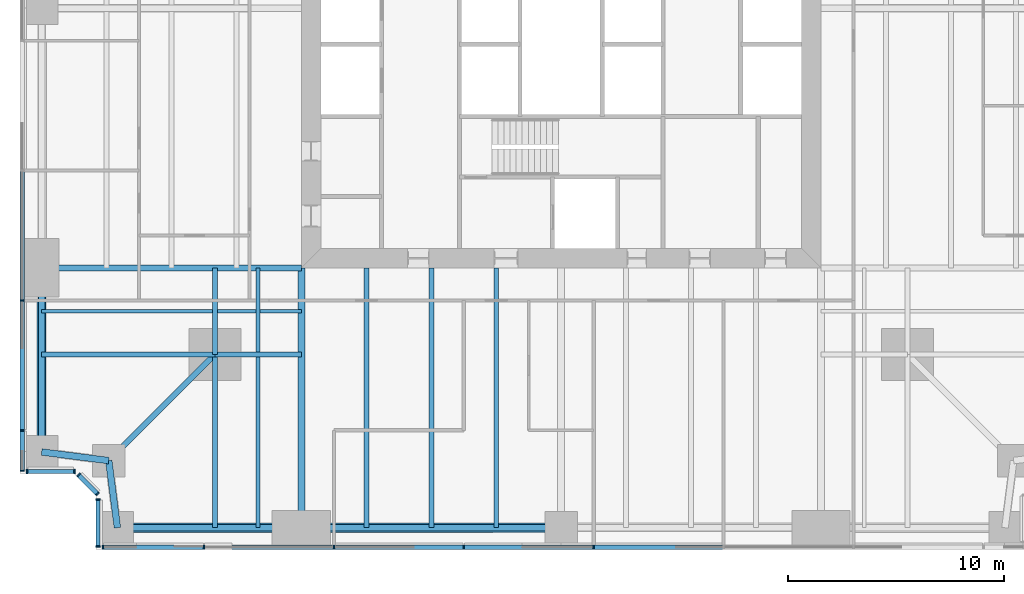
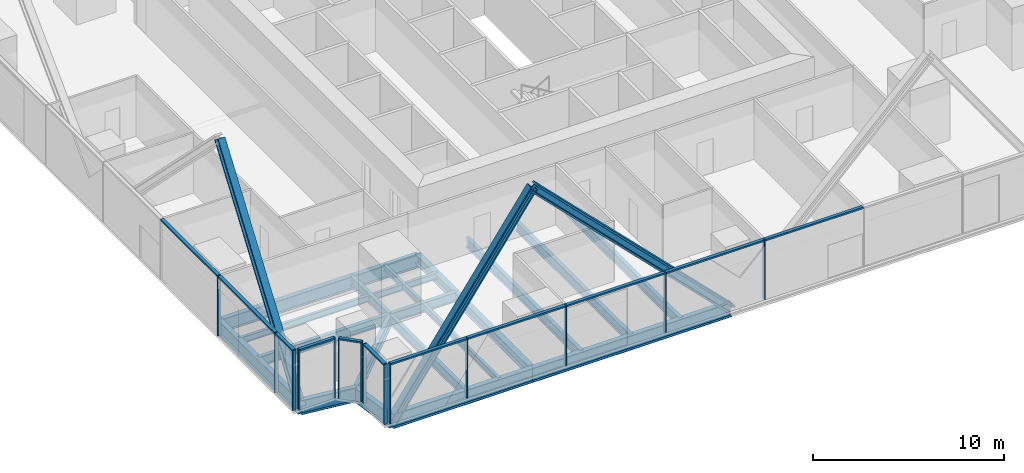
# One storey, part 2 of 13: 28 members, 20 beams, 5 elements without a shape of their own.
"""IFC4 building model written with IfcOpenShell, lengths in metres."""

import ifcopenshell
import ifcopenshell.guid

model = None  # the IFC model being written
_history = None  # IfcOwnerHistory: only IFC2X3 demands one
_inside = {}  # id of a spatial element -> (the spatial element, [elements in it])
_under = {}  # id of a project, library or spatial element -> (it, [spatial elements below it])
_declared = {}  # id of a project -> (the project, [libraries it declares])
_typed = {}  # id of a type object -> (the type object, [elements of that type])
_made_of = {}  # id of a material, layer set ... -> (it, [elements and type objects made of it])


def new_model(schema):
    """Start an empty IFC model of exactly this schema.

    Asked for "IFC4X3", IfcOpenShell would pick the latest addendum, in which some entities
    have other attributes; the version numbers below select the first issue.
    IFC2X3 requires an IfcOwnerHistory on every rooted entity: one is made here for all.
    """
    global model, _history
    if schema == "IFC4X3":
        model = ifcopenshell.file(schema_version=(4, 3, 0, 0))
    else:
        model = ifcopenshell.file(schema=schema)
    _inside.clear()
    _under.clear()
    _declared.clear()
    _typed.clear()
    _made_of.clear()
    _history = None
    if model.schema == "IFC2X3":
        org = make("IfcOrganization", Name="unknown")
        user = make(
            "IfcPersonAndOrganization",
            ThePerson=make("IfcPerson", FamilyName="unknown"),
            TheOrganization=org,
        )
        app = make(
            "IfcApplication",
            ApplicationDeveloper=org,
            Version="unknown",
            ApplicationFullName="unknown",
            ApplicationIdentifier="unknown",
        )
        _history = make(
            "IfcOwnerHistory",
            OwningUser=user,
            OwningApplication=app,
            ChangeAction="ADDED",
            CreationDate=0,
        )
    return model


def make(cls, **values):
    """One entity of the class cls with the attributes given. An attribute that is None is left unset."""
    return model.create_entity(
        cls, **{name: value for name, value in values.items() if value is not None}
    )


def rooted(cls, **values):
    """An entity with a GlobalId (a new one), such as an element, a storey or a relation."""
    return make(cls, GlobalId=ifcopenshell.guid.new(), OwnerHistory=_history, **values)


def si_unit(unit_type, name, prefix=None):
    """IfcSIUnit, for example si_unit("LENGTHUNIT", "METRE", prefix="MILLI")."""
    return make("IfcSIUnit", UnitType=unit_type, Prefix=prefix, Name=name)


def assignment(units):
    """IfcUnitAssignment: the units of a project."""
    return None if units is None else make("IfcUnitAssignment", Units=units)


def point(xyz):
    """IfcCartesianPoint."""
    return None if xyz is None else make("IfcCartesianPoint", Coordinates=xyz)


def direction(xyz):
    """IfcDirection."""
    return None if xyz is None else make("IfcDirection", DirectionRatios=xyz)


def frame(location, z_axis=None, x_axis=None):
    """IfcAxis2Placement3D, a coordinate frame: its origin and axes. An axis left out is left unset."""
    return make(
        "IfcAxis2Placement3D",
        Location=point(location),
        Axis=direction(z_axis),
        RefDirection=direction(x_axis),
    )


def frame_2d(location, x_axis=None):
    """IfcAxis2Placement2D, a coordinate frame in the plane: its origin and x axis."""
    return make(
        "IfcAxis2Placement2D", Location=point(location), RefDirection=direction(x_axis)
    )


def origin():
    """The frame at (0, 0, 0) with its axes left unset."""
    return frame((0.0, 0.0, 0.0))


def origin_2d():
    """The frame at (0, 0) in the plane with its x axis left unset."""
    return frame_2d((0.0, 0.0))


def place(relative_to, where):
    """IfcLocalPlacement: puts the frame where relative to a parent placement (None: the world)."""
    return make(
        "IfcLocalPlacement", PlacementRelTo=relative_to, RelativePlacement=where
    )


def context(
    kind, dimensions, precision=None, world=None, true_north=None, identifier=None
):
    """IfcGeometricRepresentationContext, for example the 3D "Model" context."""
    return make(
        "IfcGeometricRepresentationContext",
        ContextIdentifier=identifier,
        ContextType=kind,
        CoordinateSpaceDimension=dimensions,
        Precision=precision,
        WorldCoordinateSystem=world,
        TrueNorth=true_north,
    )


def subcontext(parent, identifier, kind, view, scale=None):
    """IfcGeometricRepresentationSubContext, for example "Body" below "Model"."""
    return make(
        "IfcGeometricRepresentationSubContext",
        ContextIdentifier=identifier,
        ContextType=kind,
        ParentContext=parent,
        TargetScale=scale,
        TargetView=view,
    )


def project(units=None, contexts=None):
    """IfcProject with its units and contexts."""
    return rooted(
        "IfcProject",
        Name="project",
        RepresentationContexts=contexts,
        UnitsInContext=assignment(units),
    )


def spatial(cls, under=None, at=None, **own):
    """A site, building, storey or space (cls), placed at a placement, below another one or the project."""
    s = rooted(cls, ObjectPlacement=at, **own)
    if under is not None:
        _under.setdefault(under.id(), (under, []))[1].append(s)
    return s


def profile(cls, at=None, kind="AREA", **sizes):
    """A parametric profile (cls). Its sizes go by their IFC names, for example OverallWidth=200.0."""
    return make(cls, ProfileType=kind, Position=at, **sizes)


def rectangle(**sizes):
    """IfcRectangleProfileDef."""
    return profile("IfcRectangleProfileDef", **sizes)


def i_section(**sizes):
    """IfcIShapeProfileDef."""
    return profile("IfcIShapeProfileDef", **sizes)


def extrude(swept, where, along, depth):
    """IfcExtrudedAreaSolid: the profile swept, set in the frame where, extruded along a direction by depth."""
    return make(
        "IfcExtrudedAreaSolid",
        SweptArea=swept,
        Position=where,
        ExtrudedDirection=direction(along),
        Depth=depth,
    )


def shape(context_of_items, identifier, shape_type, items):
    """IfcShapeRepresentation: the items that make up one representation, for example the "Body"."""
    return make(
        "IfcShapeRepresentation",
        ContextOfItems=context_of_items,
        RepresentationIdentifier=identifier,
        RepresentationType=shape_type,
        Items=items,
    )


def material(Name=None, Category=None):
    """IfcMaterial."""
    return make("IfcMaterial", Name=Name, Category=Category)


def material_profile(
    of_material, cross_section, Name=None, Category=None, Priority=None
):
    """IfcMaterialProfile: a cross section and its material."""
    return make(
        "IfcMaterialProfile",
        Name=Name,
        Material=of_material,
        Profile=cross_section,
        Priority=Priority,
        Category=Category,
    )


def profile_set(profiles, Name=None, composite=None):
    """IfcMaterialProfileSet."""
    return make(
        "IfcMaterialProfileSet",
        Name=Name,
        MaterialProfiles=profiles,
        CompositeProfile=composite,
    )


def made_of(thing, what):
    """Note that an element or type object is made of a material, layer set ...; save() writes the relation."""
    if what is not None:
        _made_of.setdefault(what.id(), (what, []))[1].append(thing)
    return thing


def type_object(cls, material=None, **own):
    """A type object (cls), such as IfcWallType, which elements share."""
    return made_of(rooted(cls, **own), material)


def element(
    cls,
    number,
    at=None,
    inside=None,
    cuts=None,
    type_object=None,
    material=None,
    context=None,
    identifier="Body",
    shape_type=None,
    held_by="IfcProductDefinitionShape",
    body=None,
    shapes=None,
    **own,
):
    """One element of the class cls, such as IfcWall. Its Tag is "e" and its number.

    at: its placement. inside: the storey or other place that contains it. cuts: it is an
    opening in that element (IfcRelVoidsElement). A single representation is given by context,
    identifier, shape_type and body (its items); several are given by shapes. held_by: the class
    of the entity that holds the representations. save() writes the other relations.
    """
    e = rooted(cls, Tag="e%d" % number, ObjectPlacement=at, **own)
    if body is not None:
        shapes = [shape(context, identifier, shape_type, body)]
    if shapes is not None:
        e.Representation = make(held_by, Representations=shapes)
    if inside is not None:
        _inside.setdefault(inside.id(), (inside, []))[1].append(e)
    if cuts is not None:
        rooted(
            "IfcRelVoidsElement", RelatingBuildingElement=cuts, RelatedOpeningElement=e
        )
    if type_object is not None:
        _typed.setdefault(type_object.id(), (type_object, []))[1].append(e)
    return made_of(e, material)


def aggregate(whole, parts):
    """IfcRelAggregates: a whole, such as a stair, and the parts it consists of."""
    return rooted("IfcRelAggregates", RelatingObject=whole, RelatedObjects=parts)


def save(model, path):
    """Write the relations noted so far, then the file.

    IfcRelAggregates (storeys below a building ...), IfcRelContainedInSpatialStructure (elements
    in a storey), IfcRelDefinesByType, IfcRelAssociatesMaterial and IfcRelDeclares: one each for
    every whole, place, type object, material and project.
    """
    for whole, parts in _under.values():
        aggregate(whole, parts)
    for where, things in _inside.values():
        rooted(
            "IfcRelContainedInSpatialStructure",
            RelatedElements=things,
            RelatingStructure=where,
        )
    for kind, things in _typed.values():
        rooted("IfcRelDefinesByType", RelatedObjects=things, RelatingType=kind)
    for what, things in _made_of.values():
        rooted("IfcRelAssociatesMaterial", RelatedObjects=things, RelatingMaterial=what)
    for by, libraries in _declared.values():
        rooted("IfcRelDeclares", RelatingContext=by, RelatedDefinitions=libraries)
    model.write(path)


model = new_model("IFC4")

# Units and contexts
model_context = context("Model", 3, precision=1e-05, world=origin(), true_north=direction((0.0, 1.0)))
body_context = subcontext(model_context, "Body", "Model", "MODEL_VIEW")
ifc_project = project(units=[si_unit("LENGTHUNIT", "METRE"), si_unit("AREAUNIT", "SQUARE_METRE"), si_unit("VOLUMEUNIT", "CUBIC_METRE"), si_unit("PLANEANGLEUNIT", "RADIAN"), si_unit("MASSUNIT", "GRAM", prefix="KILO")], contexts=[model_context])

# Site, building, storey
site_placement = place(None, origin())
site = spatial("IfcSite", under=ifc_project, at=site_placement, CompositionType="ELEMENT")
building_placement = place(site_placement, origin())
building = spatial("IfcBuilding", under=site, at=building_placement, Name="Fenwick Lantern Interchange", CompositionType="ELEMENT")
storey_placement = place(building_placement, frame((0.0, 0.0, 43.0)))
storey = spatial("IfcBuildingStorey", under=building, at=storey_placement, Name="L09", CompositionType="ELEMENT", Elevation=43.0)

# Beams
ifc_material_1 = material(Name="Steel ASTM A992 Grade 50", Category="steel")
ifc_material_profile_1 = material_profile(ifc_material_1, i_section(OverallWidth=0.3046875, OverallDepth=0.911865234375, WebThickness=0.015869140625, FlangeThickness=0.02392578125, at=origin_2d()), Name="W36X150")
ifc_profile_set_1 = profile_set([ifc_material_profile_1], Name="Steel ASTM A992 Grade 50")
beam_type_1 = type_object("IfcBeamType", Name="EDGE BEAM W36X150", PredefinedType="SPANDREL", material=ifc_profile_set_1)
beam_1_placement = place(storey_placement, frame((4.5, 1.0, -0.60595703125), z_axis=(1.0, 0.0, 0.0), x_axis=(0.0, 1.0, 0.0)))
element("IfcBeam", 1, at=beam_1_placement, inside=storey, type_object=beam_type_1, Name="L09/FR/S/EB1", PredefinedType="SPANDREL", context=body_context, shape_type="SweptSolid", body=[
    extrude(i_section(OverallWidth=0.3046875, OverallDepth=0.911865234375, WebThickness=0.015869140625, FlangeThickness=0.02392578125, at=origin_2d()), origin(), (0.0, 0.0, 1.0), 8.5),
])
beam_2_placement = place(storey_placement, frame((13.0, 1.0, -0.60595703125), z_axis=(1.0, 0.0, 0.0), x_axis=(0.0, 1.0, 0.0)))
element("IfcBeam", 2, at=beam_2_placement, inside=storey, type_object=beam_type_1, Name="L09/FR/S/EB2", PredefinedType="SPANDREL", context=body_context, shape_type="SweptSolid", body=[
    extrude(i_section(OverallWidth=0.3046875, OverallDepth=0.911865234375, WebThickness=0.015869140625, FlangeThickness=0.02392578125, at=origin_2d()), origin(), (0.0, 0.0, 1.0), 12.0),
])
beam_3_placement = place(storey_placement, frame((1.0, 13.0, -0.60595703125), z_axis=(0.0, -1.0, 0.0), x_axis=(1.0, 0.0, 0.0)))
element("IfcBeam", 3, at=beam_3_placement, inside=storey, type_object=beam_type_1, Name="L09/FR/W/EB4", PredefinedType="SPANDREL", context=body_context, shape_type="SweptSolid", body=[
    extrude(i_section(OverallWidth=0.3046875, OverallDepth=0.911865234375, WebThickness=0.015869140625, FlangeThickness=0.02392578125, at=origin_2d()), origin(), (0.0, 0.0, 1.0), 8.5),
])
for number, where, z_axis, x_axis, name in (
    (4, (1.0, 4.5, -0.60595703125), (0.991782342897, -0.127936641807, 0.0), (0.127936641807, 0.991782342897, 0.0), "L09/FR/W/EBR1"),
    (5, (4.10009765625, 4.10009765625, -0.60595703125), (0.127936641807, -0.991782342897, 0.0), (0.991782342897, 0.127936641807, 0.0), "L09/FR/W/EBR2"),
):
    element("IfcBeam", number, at=place(storey_placement, frame(where, z_axis=z_axis, x_axis=x_axis)), inside=storey, type_object=beam_type_1, Name=name, PredefinedType="SPANDREL", context=body_context, shape_type="SweptSolid", body=[
        extrude(i_section(OverallWidth=0.3046875, OverallDepth=0.911865234375, WebThickness=0.015869140625, FlangeThickness=0.02392578125, at=origin_2d()), origin(), (0.0, 0.0, 1.0), 3.125732421875),
    ])

# Members
ifc_material_profile_2 = material_profile(ifc_material_1, i_section(OverallWidth=0.424072265625, OverallDepth=0.47509765625, WebThickness=0.0478515625, FlangeThickness=0.0771484375, at=origin_2d()), Name="W14X426")
ifc_profile_set_2 = profile_set([ifc_material_profile_2], Name="Steel ASTM A992 Grade 50")
member_type_1 = type_object("IfcMemberType", Name="FACADE BRACE W14X426", PredefinedType="BRACE", material=ifc_profile_set_2)
for number, where, z_axis, x_axis, name in (
    (6, (4.5, 1.0, -0.60595703125), (0.57801734078, 0.0, 0.816024481102), (0.0, 1.0, 0.0), "L09/FB/S/AE"),
    (7, (1.0, 4.5, -0.60595703125), (0.0, 0.57801734078, 0.816024481102), (-1.0, 0.0, 0.0), "L09/FB/W/BE"),
):
    element("IfcMember", number, at=place(storey_placement, frame(where, z_axis=z_axis, x_axis=x_axis)), inside=storey, type_object=member_type_1, Name=name, PredefinedType="BRACE", context=body_context, shape_type="SweptSolid", body=[
        extrude(i_section(OverallWidth=0.424072265625, OverallDepth=0.47509765625, WebThickness=0.0478515625, FlangeThickness=0.0771484375, at=origin_2d()), origin(), (0.0, 0.0, 1.0), 14.705322265625),
    ])
ifc_material_profile_3 = material_profile(ifc_material_1, i_section(OverallWidth=0.44189453125, OverallDepth=0.53076171875, WebThickness=0.06591796875, FlangeThickness=0.105712890625, at=origin_2d()), Name="W14X605")
ifc_profile_set_3 = profile_set([ifc_material_profile_3], Name="Steel ASTM A992 Grade 50")
member_type_2 = type_object("IfcMemberType", Name="FACADE BRACE W14X605", PredefinedType="BRACE", material=ifc_profile_set_3)
member_1_placement = place(storey_placement, frame((25.0, 1.0, -0.60595703125), z_axis=(-0.707106781187, 0.0, 0.707106781187), x_axis=(0.0, -1.0, 0.0)))
element("IfcMember", 8, at=member_1_placement, inside=storey, type_object=member_type_2, Name="L09/FB/S/A", PredefinedType="BRACE", context=body_context, shape_type="SweptSolid", body=[
    extrude(i_section(OverallWidth=0.44189453125, OverallDepth=0.53076171875, WebThickness=0.06591796875, FlangeThickness=0.105712890625, at=origin_2d()), origin(), (0.0, 0.0, 1.0), 16.970458984375),
])

# Beams
ifc_material_profile_4 = material_profile(ifc_material_1, i_section(OverallWidth=0.22900390625, OverallDepth=0.612060546875, WebThickness=0.011962890625, FlangeThickness=0.01953125, at=origin_2d()), Name="W24X84")
ifc_profile_set_4 = profile_set([ifc_material_profile_4], Name="Steel ASTM A992 Grade 50")
beam_type_2 = type_object("IfcBeamType", Name="FLOOR BEAM W24X84", PredefinedType="BEAM", material=ifc_profile_set_4)
for number, where, z_axis, x_axis, name in (
    (9, (16.0, 1.0, -0.4560546875), (0.0, 1.0, 0.0), (-1.0, 0.0, 0.0), "L09/FR/S/R02"),
    (10, (19.0, 1.0, -0.4560546875), (0.0, 1.0, 0.0), (-1.0, 0.0, 0.0), "L09/FR/S/R03"),
    (11, (22.0, 1.0, -0.4560546875), (0.0, 1.0, 0.0), (-1.0, 0.0, 0.0), "L09/FR/S/R04"),
):
    element("IfcBeam", number, at=place(storey_placement, frame(where, z_axis=z_axis, x_axis=x_axis)), inside=storey, type_object=beam_type_2, Name=name, PredefinedType="BEAM", context=body_context, shape_type="SweptSolid", body=[
        extrude(i_section(OverallWidth=0.22900390625, OverallDepth=0.612060546875, WebThickness=0.011962890625, FlangeThickness=0.01953125, at=origin_2d()), origin(), (0.0, 0.0, 1.0), 12.0),
    ])
ifc_material_profile_5 = material_profile(ifc_material_1, i_section(OverallWidth=0.177734375, OverallDepth=0.406494140625, WebThickness=0.0078125, FlangeThickness=0.012939453125, at=origin_2d()), Name="W16X40")
ifc_profile_set_5 = profile_set([ifc_material_profile_5], Name="Steel ASTM A992 Grade 50")
beam_type_3 = type_object("IfcBeamType", Name="INFILL BEAM W16X40", PredefinedType="JOIST", material=ifc_profile_set_5)
beam_4_placement = place(storey_placement, frame((11.0, 1.0, -0.353271484375), z_axis=(0.0, 1.0, 0.0), x_axis=(-1.0, 0.0, 0.0)))
element("IfcBeam", 12, at=beam_4_placement, inside=storey, type_object=beam_type_3, Name="L09/FR/S/J1", PredefinedType="JOIST", context=body_context, shape_type="SweptSolid", body=[
    extrude(i_section(OverallWidth=0.177734375, OverallDepth=0.406494140625, WebThickness=0.0078125, FlangeThickness=0.012939453125, at=origin_2d()), origin(), (0.0, 0.0, 1.0), 7.885498046875),
])
beam_5_placement = place(storey_placement, frame((11.0, 9.114501953125, -0.353271484375), z_axis=(0.0, 1.0, 0.0), x_axis=(-1.0, 0.0, 0.0)))
element("IfcBeam", 13, at=beam_5_placement, inside=storey, type_object=beam_type_3, Name="L09/FR/S/J2", PredefinedType="JOIST", context=body_context, shape_type="SweptSolid", body=[
    extrude(i_section(OverallWidth=0.177734375, OverallDepth=0.406494140625, WebThickness=0.0078125, FlangeThickness=0.012939453125, at=origin_2d()), origin(), (0.0, 0.0, 1.0), 3.885498046875),
])
beam_6_placement = place(storey_placement, frame((1.0, 11.0, -0.353271484375), z_axis=(1.0, 0.0, 0.0), x_axis=(0.0, 1.0, 0.0)))
element("IfcBeam", 14, at=beam_6_placement, inside=storey, type_object=beam_type_3, Name="L09/FR/S/J3", PredefinedType="JOIST", context=body_context, shape_type="SweptSolid", body=[
    extrude(i_section(OverallWidth=0.177734375, OverallDepth=0.406494140625, WebThickness=0.0078125, FlangeThickness=0.012939453125, at=origin_2d()), origin(), (0.0, 0.0, 1.0), 7.885498046875),
])
beam_7_placement = place(storey_placement, frame((9.114501953125, 11.0, -0.353271484375), z_axis=(1.0, 0.0, 0.0), x_axis=(0.0, 1.0, 0.0)))
element("IfcBeam", 15, at=beam_7_placement, inside=storey, type_object=beam_type_3, Name="L09/FR/S/J4", PredefinedType="JOIST", context=body_context, shape_type="SweptSolid", body=[
    extrude(i_section(OverallWidth=0.177734375, OverallDepth=0.406494140625, WebThickness=0.0078125, FlangeThickness=0.012939453125, at=origin_2d()), origin(), (0.0, 0.0, 1.0), 1.796630859375),
])
beam_8_placement = place(storey_placement, frame((11.0888671875, 11.0, -0.353271484375), z_axis=(1.0, 0.0, 0.0), x_axis=(0.0, 1.0, 0.0)))
element("IfcBeam", 16, at=beam_8_placement, inside=storey, type_object=beam_type_3, Name="L09/FR/S/J5", PredefinedType="JOIST", context=body_context, shape_type="SweptSolid", body=[
    extrude(i_section(OverallWidth=0.177734375, OverallDepth=0.406494140625, WebThickness=0.0078125, FlangeThickness=0.012939453125, at=origin_2d()), origin(), (0.0, 0.0, 1.0), 1.9111328125),
])
ifc_material_profile_6 = material_profile(ifc_material_1, i_section(OverallWidth=0.22900390625, OverallDepth=0.612060546875, WebThickness=0.011962890625, FlangeThickness=0.01953125, at=origin_2d()), Name="W24X84")
ifc_profile_set_6 = profile_set([ifc_material_profile_6], Name="Steel ASTM A992 Grade 50")
beam_type_4 = type_object("IfcBeamType", Name="MEGA COLUMN BEAM W24X84", PredefinedType="BEAM", material=ifc_profile_set_6)
for number, where, z_axis, x_axis, name in (
    (17, (9.0, 9.0, -0.4560546875), (0.0, -1.0, 0.0), (1.0, 0.0, 0.0), "L09/FR/S/MB1"),
    (18, (9.0, 9.0, -0.4560546875), (-1.0, 0.0, 0.0), (0.0, -1.0, 0.0), "L09/FR/S/MB2"),
):
    element("IfcBeam", number, at=place(storey_placement, frame(where, z_axis=z_axis, x_axis=x_axis)), inside=storey, type_object=beam_type_4, Name=name, PredefinedType="BEAM", context=body_context, shape_type="SweptSolid", body=[
        extrude(i_section(OverallWidth=0.22900390625, OverallDepth=0.612060546875, WebThickness=0.011962890625, FlangeThickness=0.01953125, at=origin_2d()), origin(), (0.0, 0.0, 1.0), 8.0),
    ])
for number, where, z_axis, x_axis, name in (
    (19, (9.0, 9.0, -0.4560546875), (1.0, 0.0, 0.0), (0.0, 1.0, 0.0), "L09/FR/S/MB3"),
    (20, (9.0, 9.0, -0.4560546875), (0.0, 1.0, 0.0), (-1.0, 0.0, 0.0), "L09/FR/S/MB4"),
):
    element("IfcBeam", number, at=place(storey_placement, frame(where, z_axis=z_axis, x_axis=x_axis)), inside=storey, type_object=beam_type_4, Name=name, PredefinedType="BEAM", context=body_context, shape_type="SweptSolid", body=[
        extrude(i_section(OverallWidth=0.22900390625, OverallDepth=0.612060546875, WebThickness=0.011962890625, FlangeThickness=0.01953125, at=origin_2d()), origin(), (0.0, 0.0, 1.0), 4.0),
    ])
ifc_material_profile_7 = material_profile(ifc_material_1, i_section(OverallWidth=0.32763671875, OverallDepth=0.622314453125, WebThickness=0.015380859375, FlangeThickness=0.0244140625, at=origin_2d()), Name="W24X131")
ifc_profile_set_7 = profile_set([ifc_material_profile_7], Name="Steel ASTM A992 Grade 50")
beam_type_5 = type_object("IfcBeamType", Name="MOMENT-CONNECTED GIRDER W24X131", PredefinedType="BEAM", material=ifc_profile_set_7)
beam_9_placement = place(storey_placement, frame((13.0, 1.0, -0.461181640625), z_axis=(0.0, 1.0, 0.0), x_axis=(-1.0, 0.0, 0.0)))
element("IfcBeam", 21, at=beam_9_placement, inside=storey, type_object=beam_type_5, Name="L09/FR/S/R01", PredefinedType="BEAM", context=body_context, shape_type="SweptSolid", body=[
    extrude(i_section(OverallWidth=0.32763671875, OverallDepth=0.622314453125, WebThickness=0.015380859375, FlangeThickness=0.0244140625, at=origin_2d()), origin(), (0.0, 0.0, 1.0), 12.0),
])
ifc_material_profile_8 = material_profile(ifc_material_1, i_section(OverallWidth=0.2919921875, OverallDepth=0.845703125, WebThickness=0.015380859375, FlangeThickness=0.0244140625, at=origin_2d()), Name="W33X141")
ifc_profile_set_8 = profile_set([ifc_material_profile_8], Name="Steel ASTM A992 Grade 50")
beam_type_6 = type_object("IfcBeamType", Name="MOMENT-CONNECTED GIRDER W33X141", PredefinedType="BEAM", material=ifc_profile_set_8)
beam_10_placement = place(storey_placement, frame((1.0, 13.0, -0.572998046875), z_axis=(1.0, 0.0, 0.0), x_axis=(0.0, 1.0, 0.0)))
element("IfcBeam", 22, at=beam_10_placement, inside=storey, type_object=beam_type_6, Name="L09/FR/W/R03", PredefinedType="BEAM", context=body_context, shape_type="SweptSolid", body=[
    extrude(i_section(OverallWidth=0.2919921875, OverallDepth=0.845703125, WebThickness=0.015380859375, FlangeThickness=0.0244140625, at=origin_2d()), origin(), (0.0, 0.0, 1.0), 12.0),
])
ifc_material_profile_9 = material_profile(ifc_material_1, i_section(OverallWidth=0.2666015625, OverallDepth=0.7568359375, WebThickness=0.013916015625, FlangeThickness=0.019287109375, at=origin_2d()), Name="W30X108")
ifc_profile_set_9 = profile_set([ifc_material_profile_9], Name="Steel ASTM A992 Grade 50")
beam_type_7 = type_object("IfcBeamType", Name="NOTCH BEAM W30X108", PredefinedType="BEAM", material=ifc_profile_set_9)
beam_11_placement = place(storey_placement, frame((9.0, 9.0, -0.528564453125), z_axis=(-0.707106781187, -0.707106781187, 0.0), x_axis=(0.707106781187, -0.707106781187, 0.0)))
element("IfcBeam", 23, at=beam_11_placement, inside=storey, type_object=beam_type_7, Name="L09/FR/S/TG", PredefinedType="BEAM", context=body_context, shape_type="SweptSolid", body=[
    extrude(i_section(OverallWidth=0.2666015625, OverallDepth=0.7568359375, WebThickness=0.013916015625, FlangeThickness=0.019287109375, at=origin_2d()), origin(), (0.0, 0.0, 1.0), 6.929443359375),
])

# Curtain wall, members
ifc_material_2 = material(Name="Aluminium curtain wall frame", Category="aluminium")
curtain_wall_type = type_object("IfcCurtainWallType", Name="OFFICE CURTAIN WALL", PredefinedType="USERDEFINED", material=ifc_material_2)
curtain_wall_1_placement = place(storey_placement, origin())
curtain_wall_1 = element("IfcCurtainWall", 24, at=curtain_wall_1_placement, inside=storey, type_object=curtain_wall_type, Name="Office curtain wall 01", ObjectType="OFFICE CURTAIN WALL", PredefinedType="USERDEFINED")
ifc_material_3 = material(Name="Aluminium extrusion", Category="aluminium")
ifc_material_profile_10 = material_profile(ifc_material_3, rectangle(XDim=0.199951171875, YDim=0.06494140625, at=origin_2d()), Name="OFFICE CURTAIN WALL MULLION 65 X 200")
ifc_profile_set_10 = profile_set([ifc_material_profile_10], Name="Aluminium extrusion")
member_type_3 = type_object("IfcMemberType", Name="OFFICE CURTAIN WALL MULLION 65 X 200", PredefinedType="MULLION", material=ifc_profile_set_10)
member_2_placement = place(storey_placement, frame((3.83251953125, 0.10009765625, 0.0), z_axis=(0.0, 0.0, 1.0), x_axis=(0.0, 1.0, 0.0)))
member_2 = element("IfcMember", 25, at=member_2_placement, type_object=member_type_3, Name="L09/CW/01/M00", PredefinedType="MULLION", context=body_context, shape_type="SweptSolid", body=[
    extrude(rectangle(XDim=0.199951171875, YDim=0.06494140625, at=origin_2d()), origin(), (0.0, 0.0, 1.0), 3.85009765625),
])
member_3_placement = place(storey_placement, frame((8.5, 0.10009765625, 0.0), z_axis=(0.0, 0.0, 1.0), x_axis=(0.0, 1.0, 0.0)))
member_3 = element("IfcMember", 26, at=member_3_placement, type_object=member_type_3, Name="L09/CW/01/M01", PredefinedType="MULLION", context=body_context, shape_type="SweptSolid", body=[
    extrude(rectangle(XDim=0.199951171875, YDim=0.06494140625, at=origin_2d()), origin(), (0.0, 0.0, 1.0), 3.85009765625),
])
member_4_placement = place(storey_placement, frame((14.5, 0.10009765625, 0.0), z_axis=(0.0, 0.0, 1.0), x_axis=(0.0, 1.0, 0.0)))
member_4 = element("IfcMember", 27, at=member_4_placement, type_object=member_type_3, Name="L09/CW/01/M02", PredefinedType="MULLION", context=body_context, shape_type="SweptSolid", body=[
    extrude(rectangle(XDim=0.199951171875, YDim=0.06494140625, at=origin_2d()), origin(), (0.0, 0.0, 1.0), 3.85009765625),
])
member_5_placement = place(storey_placement, frame((20.5, 0.10009765625, 0.0), z_axis=(0.0, 0.0, 1.0), x_axis=(0.0, 1.0, 0.0)))
member_5 = element("IfcMember", 28, at=member_5_placement, type_object=member_type_3, Name="L09/CW/01/M03", PredefinedType="MULLION", context=body_context, shape_type="SweptSolid", body=[
    extrude(rectangle(XDim=0.199951171875, YDim=0.06494140625, at=origin_2d()), origin(), (0.0, 0.0, 1.0), 3.85009765625),
])
member_6_placement = place(storey_placement, frame((26.5, 0.10009765625, 0.0), z_axis=(0.0, 0.0, 1.0), x_axis=(0.0, 1.0, 0.0)))
member_6 = element("IfcMember", 29, at=member_6_placement, type_object=member_type_3, Name="L09/CW/01/M04", PredefinedType="MULLION", context=body_context, shape_type="SweptSolid", body=[
    extrude(rectangle(XDim=0.199951171875, YDim=0.06494140625, at=origin_2d()), origin(), (0.0, 0.0, 1.0), 3.85009765625),
])

curtain_wall_2_placement = place(storey_placement, origin())
curtain_wall_2 = element("IfcCurtainWall", 30, at=curtain_wall_2_placement, inside=storey, type_object=curtain_wall_type, Name="Office curtain wall 13", ObjectType="OFFICE CURTAIN WALL", PredefinedType="USERDEFINED")
member_7_placement = place(storey_placement, frame((0.10009765625, 11.5, 0.0), z_axis=(0.0, 0.0, 1.0), x_axis=(1.0, 0.0, 0.0)))
member_7 = element("IfcMember", 31, at=member_7_placement, type_object=member_type_3, Name="L09/CW/13/M06", PredefinedType="MULLION", context=body_context, shape_type="SweptSolid", body=[
    extrude(rectangle(XDim=0.199951171875, YDim=0.06494140625, at=origin_2d()), origin(), (0.0, 0.0, 1.0), 3.85009765625),
])
member_8_placement = place(storey_placement, frame((0.10009765625, 5.5, 0.0), z_axis=(0.0, 0.0, 1.0), x_axis=(1.0, 0.0, 0.0)))
member_8 = element("IfcMember", 32, at=member_8_placement, type_object=member_type_3, Name="L09/CW/13/M07", PredefinedType="MULLION", context=body_context, shape_type="SweptSolid", body=[
    extrude(rectangle(XDim=0.199951171875, YDim=0.06494140625, at=origin_2d()), origin(), (0.0, 0.0, 1.0), 3.85009765625),
])
member_9_placement = place(storey_placement, frame((0.10009765625, 3.632568359375, 0.0), z_axis=(0.0, 0.0, 1.0), x_axis=(1.0, 0.0, 0.0)))
member_9 = element("IfcMember", 33, at=member_9_placement, type_object=member_type_3, Name="L09/CW/13/M08", PredefinedType="MULLION", context=body_context, shape_type="SweptSolid", body=[
    extrude(rectangle(XDim=0.199951171875, YDim=0.06494140625, at=origin_2d()), origin(), (0.0, 0.0, 1.0), 3.85009765625),
])

curtain_wall_3_placement = place(storey_placement, origin())
curtain_wall_3 = element("IfcCurtainWall", 34, at=curtain_wall_3_placement, inside=storey, type_object=curtain_wall_type, Name="Office curtain wall 14", ObjectType="OFFICE CURTAIN WALL", PredefinedType="USERDEFINED")
member_10_placement = place(storey_placement, frame((0.33251953125, 3.60009765625, 0.0), z_axis=(0.0, 0.0, 1.0), x_axis=(0.0, 1.0, 0.0)))
member_10 = element("IfcMember", 35, at=member_10_placement, type_object=member_type_3, Name="L09/CW/14/M00", PredefinedType="MULLION", context=body_context, shape_type="SweptSolid", body=[
    extrude(rectangle(XDim=0.199951171875, YDim=0.06494140625, at=origin_2d()), origin(), (0.0, 0.0, 1.0), 3.85009765625),
])
member_11_placement = place(storey_placement, frame((2.509033203125, 3.60009765625, 0.0), z_axis=(0.0, 0.0, 1.0), x_axis=(0.0, 1.0, 0.0)))
member_11 = element("IfcMember", 36, at=member_11_placement, type_object=member_type_3, Name="L09/CW/14/M01", PredefinedType="MULLION", context=body_context, shape_type="SweptSolid", body=[
    extrude(rectangle(XDim=0.199951171875, YDim=0.06494140625, at=origin_2d()), origin(), (0.0, 0.0, 1.0), 3.85009765625),
])

curtain_wall_4_placement = place(storey_placement, origin())
curtain_wall_4 = element("IfcCurtainWall", 37, at=curtain_wall_4_placement, inside=storey, type_object=curtain_wall_type, Name="Office curtain wall 15", ObjectType="OFFICE CURTAIN WALL", PredefinedType="USERDEFINED")
member_12_placement = place(storey_placement, frame((2.705810546875, 3.435546875, 0.0), z_axis=(0.0, 0.0, 1.0), x_axis=(0.707106781187, 0.707106781187, 0.0)))
member_12 = element("IfcMember", 38, at=member_12_placement, type_object=member_type_3, Name="L09/CW/15/M00", PredefinedType="MULLION", context=body_context, shape_type="SweptSolid", body=[
    extrude(rectangle(XDim=0.199951171875, YDim=0.06494140625, at=origin_2d()), origin(), (0.0, 0.0, 1.0), 3.85009765625),
])
member_13_placement = place(storey_placement, frame((3.576904296875, 2.564453125, 0.0), z_axis=(0.0, 0.0, 1.0), x_axis=(0.707106781187, 0.707106781187, 0.0)))
member_13 = element("IfcMember", 39, at=member_13_placement, type_object=member_type_3, Name="L09/CW/15/M01", PredefinedType="MULLION", context=body_context, shape_type="SweptSolid", body=[
    extrude(rectangle(XDim=0.199951171875, YDim=0.06494140625, at=origin_2d()), origin(), (0.0, 0.0, 1.0), 3.85009765625),
])

curtain_wall_5_placement = place(storey_placement, origin())
curtain_wall_5 = element("IfcCurtainWall", 40, at=curtain_wall_5_placement, inside=storey, type_object=curtain_wall_type, Name="Office curtain wall 16", ObjectType="OFFICE CURTAIN WALL", PredefinedType="USERDEFINED")
member_14_placement = place(storey_placement, frame((3.60009765625, 2.308837890625, 0.0), z_axis=(0.0, 0.0, 1.0), x_axis=(1.0, 0.0, 0.0)))
member_14 = element("IfcMember", 41, at=member_14_placement, type_object=member_type_3, Name="L09/CW/16/M00", PredefinedType="MULLION", context=body_context, shape_type="SweptSolid", body=[
    extrude(rectangle(XDim=0.199951171875, YDim=0.06494140625, at=origin_2d()), origin(), (0.0, 0.0, 1.0), 3.85009765625),
])
member_15_placement = place(storey_placement, frame((3.60009765625, 0.132568359375, 0.0), z_axis=(0.0, 0.0, 1.0), x_axis=(1.0, 0.0, 0.0)))
member_15 = element("IfcMember", 42, at=member_15_placement, type_object=member_type_3, Name="L09/CW/16/M01", PredefinedType="MULLION", context=body_context, shape_type="SweptSolid", body=[
    extrude(rectangle(XDim=0.199951171875, YDim=0.06494140625, at=origin_2d()), origin(), (0.0, 0.0, 1.0), 3.85009765625),
])

# Member
ifc_material_profile_11 = material_profile(ifc_material_3, rectangle(XDim=0.199951171875, YDim=0.10009765625, at=origin_2d()), Name="OFFICE CURTAIN WALL TRANSOM 100 X 200")
ifc_profile_set_11 = profile_set([ifc_material_profile_11], Name="Aluminium extrusion")
member_type_4 = type_object("IfcMemberType", Name="OFFICE CURTAIN WALL TRANSOM 100 X 200", PredefinedType="MULLION", material=ifc_profile_set_11)
member_16_placement = place(storey_placement, frame((3.864990234375, 0.10009765625, 3.800048828125), z_axis=(1.0, 0.0, 0.0), x_axis=(0.0, 1.0, 0.0)))
member_16 = element("IfcMember", 43, at=member_16_placement, type_object=member_type_4, Name="L09/CW/01/T00", PredefinedType="MULLION", context=body_context, shape_type="SweptSolid", body=[
    extrude(rectangle(XDim=0.199951171875, YDim=0.10009765625, at=origin_2d()), origin(), (0.0, 0.0, 1.0), 4.6025390625),
])

member_17_placement = place(storey_placement, frame((8.532470703125, 0.10009765625, 3.800048828125), z_axis=(1.0, 0.0, 0.0), x_axis=(0.0, 1.0, 0.0)))
member_17 = element("IfcMember", 44, at=member_17_placement, type_object=member_type_4, Name="L09/CW/01/T01", PredefinedType="MULLION", context=body_context, shape_type="SweptSolid", body=[
    extrude(rectangle(XDim=0.199951171875, YDim=0.10009765625, at=origin_2d()), origin(), (0.0, 0.0, 1.0), 5.93505859375),
])

member_18_placement = place(storey_placement, frame((14.532470703125, 0.10009765625, 3.800048828125), z_axis=(1.0, 0.0, 0.0), x_axis=(0.0, 1.0, 0.0)))
member_18 = element("IfcMember", 45, at=member_18_placement, type_object=member_type_4, Name="L09/CW/01/T02", PredefinedType="MULLION", context=body_context, shape_type="SweptSolid", body=[
    extrude(rectangle(XDim=0.199951171875, YDim=0.10009765625, at=origin_2d()), origin(), (0.0, 0.0, 1.0), 5.93505859375),
])

member_19_placement = place(storey_placement, frame((20.532470703125, 0.10009765625, 3.800048828125), z_axis=(1.0, 0.0, 0.0), x_axis=(0.0, 1.0, 0.0)))
member_19 = element("IfcMember", 46, at=member_19_placement, type_object=member_type_4, Name="L09/CW/01/T03", PredefinedType="MULLION", context=body_context, shape_type="SweptSolid", body=[
    extrude(rectangle(XDim=0.199951171875, YDim=0.10009765625, at=origin_2d()), origin(), (0.0, 0.0, 1.0), 5.93505859375),
])

member_20_placement = place(storey_placement, frame((26.532470703125, 0.10009765625, 3.800048828125), z_axis=(1.0, 0.0, 0.0), x_axis=(0.0, 1.0, 0.0)))
member_20 = element("IfcMember", 47, at=member_20_placement, type_object=member_type_4, Name="L09/CW/01/T04", PredefinedType="MULLION", context=body_context, shape_type="SweptSolid", body=[
    extrude(rectangle(XDim=0.199951171875, YDim=0.10009765625, at=origin_2d()), origin(), (0.0, 0.0, 1.0), 5.93505859375),
])

aggregate(curtain_wall_1, [member_2, member_3, member_4, member_5, member_6, member_16, member_17, member_18, member_19, member_20])

member_21_placement = place(storey_placement, frame((0.10009765625, 17.467529296875, 3.800048828125), z_axis=(0.0, -1.0, 0.0), x_axis=(1.0, 0.0, 0.0)))
member_21 = element("IfcMember", 48, at=member_21_placement, type_object=member_type_4, Name="L09/CW/13/T05", PredefinedType="MULLION", context=body_context, shape_type="SweptSolid", body=[
    extrude(rectangle(XDim=0.199951171875, YDim=0.10009765625, at=origin_2d()), origin(), (0.0, 0.0, 1.0), 5.93505859375),
])

member_22_placement = place(storey_placement, frame((0.10009765625, 11.467529296875, 3.800048828125), z_axis=(0.0, -1.0, 0.0), x_axis=(1.0, 0.0, 0.0)))
member_22 = element("IfcMember", 49, at=member_22_placement, type_object=member_type_4, Name="L09/CW/13/T06", PredefinedType="MULLION", context=body_context, shape_type="SweptSolid", body=[
    extrude(rectangle(XDim=0.199951171875, YDim=0.10009765625, at=origin_2d()), origin(), (0.0, 0.0, 1.0), 5.93505859375),
])

member_23_placement = place(storey_placement, frame((0.10009765625, 5.467529296875, 3.800048828125), z_axis=(0.0, -1.0, 0.0), x_axis=(1.0, 0.0, 0.0)))
member_23 = element("IfcMember", 50, at=member_23_placement, type_object=member_type_4, Name="L09/CW/13/T07", PredefinedType="MULLION", context=body_context, shape_type="SweptSolid", body=[
    extrude(rectangle(XDim=0.199951171875, YDim=0.10009765625, at=origin_2d()), origin(), (0.0, 0.0, 1.0), 1.802490234375),
])

aggregate(curtain_wall_2, [member_7, member_8, member_9, member_21, member_22, member_23])

member_24_placement = place(storey_placement, frame((0.364990234375, 3.60009765625, 3.800048828125), z_axis=(1.0, 0.0, 0.0), x_axis=(0.0, 1.0, 0.0)))
member_24 = element("IfcMember", 51, at=member_24_placement, type_object=member_type_4, Name="L09/CW/14/T00", PredefinedType="MULLION", context=body_context, shape_type="SweptSolid", body=[
    extrude(rectangle(XDim=0.199951171875, YDim=0.10009765625, at=origin_2d()), origin(), (0.0, 0.0, 1.0), 2.111328125),
])

aggregate(curtain_wall_3, [member_10, member_11, member_24])

member_25_placement = place(storey_placement, frame((2.728759765625, 3.41259765625, 3.800048828125), z_axis=(0.707106781187, -0.707106781187, 0.0), x_axis=(0.707106781187, 0.707106781187, 0.0)))
member_25 = element("IfcMember", 52, at=member_25_placement, type_object=member_type_4, Name="L09/CW/15/T00", PredefinedType="MULLION", context=body_context, shape_type="SweptSolid", body=[
    extrude(rectangle(XDim=0.199951171875, YDim=0.10009765625, at=origin_2d()), origin(), (0.0, 0.0, 1.0), 1.1669921875),
])

aggregate(curtain_wall_4, [member_12, member_13, member_25])

member_26_placement = place(storey_placement, frame((3.60009765625, 2.2763671875, 3.800048828125), z_axis=(0.0, -1.0, 0.0), x_axis=(1.0, 0.0, 0.0)))
member_26 = element("IfcMember", 53, at=member_26_placement, type_object=member_type_4, Name="L09/CW/16/T00", PredefinedType="MULLION", context=body_context, shape_type="SweptSolid", body=[
    extrude(rectangle(XDim=0.199951171875, YDim=0.10009765625, at=origin_2d()), origin(), (0.0, 0.0, 1.0), 2.111328125),
])

aggregate(curtain_wall_5, [member_14, member_15, member_26])

save(model, "model.ifc")
